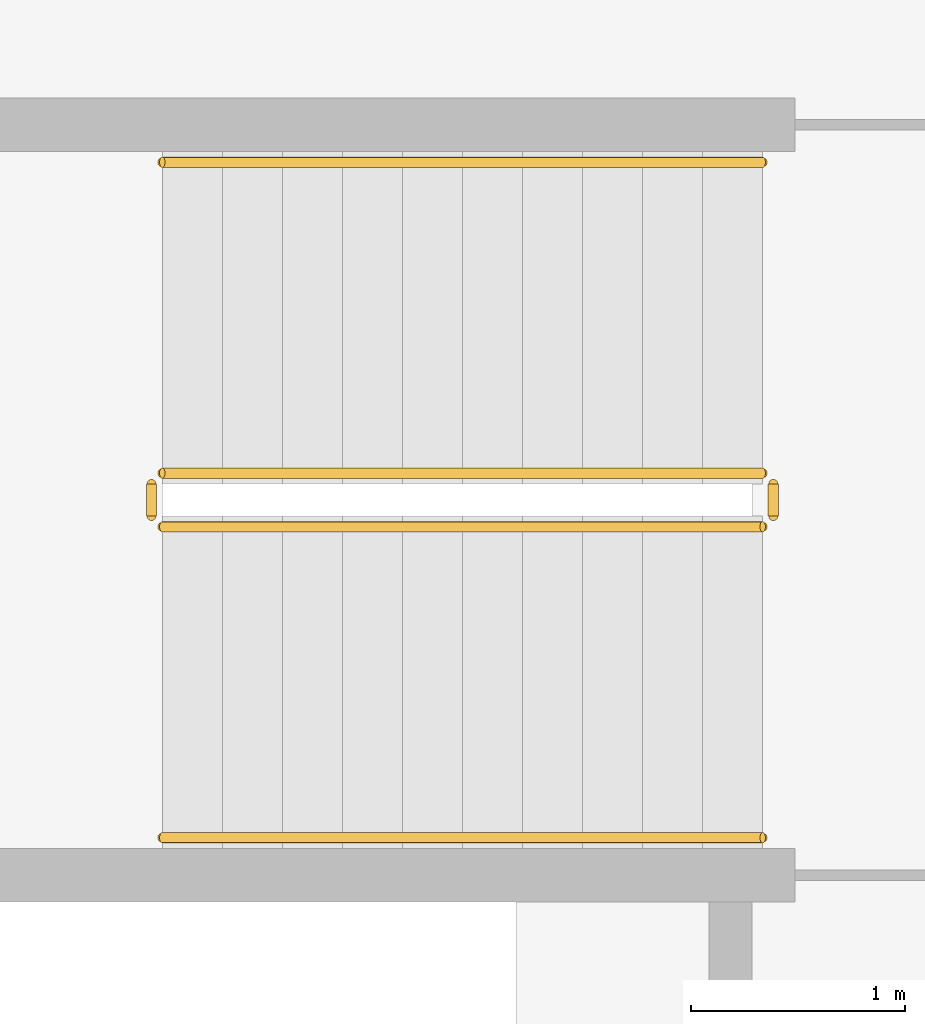
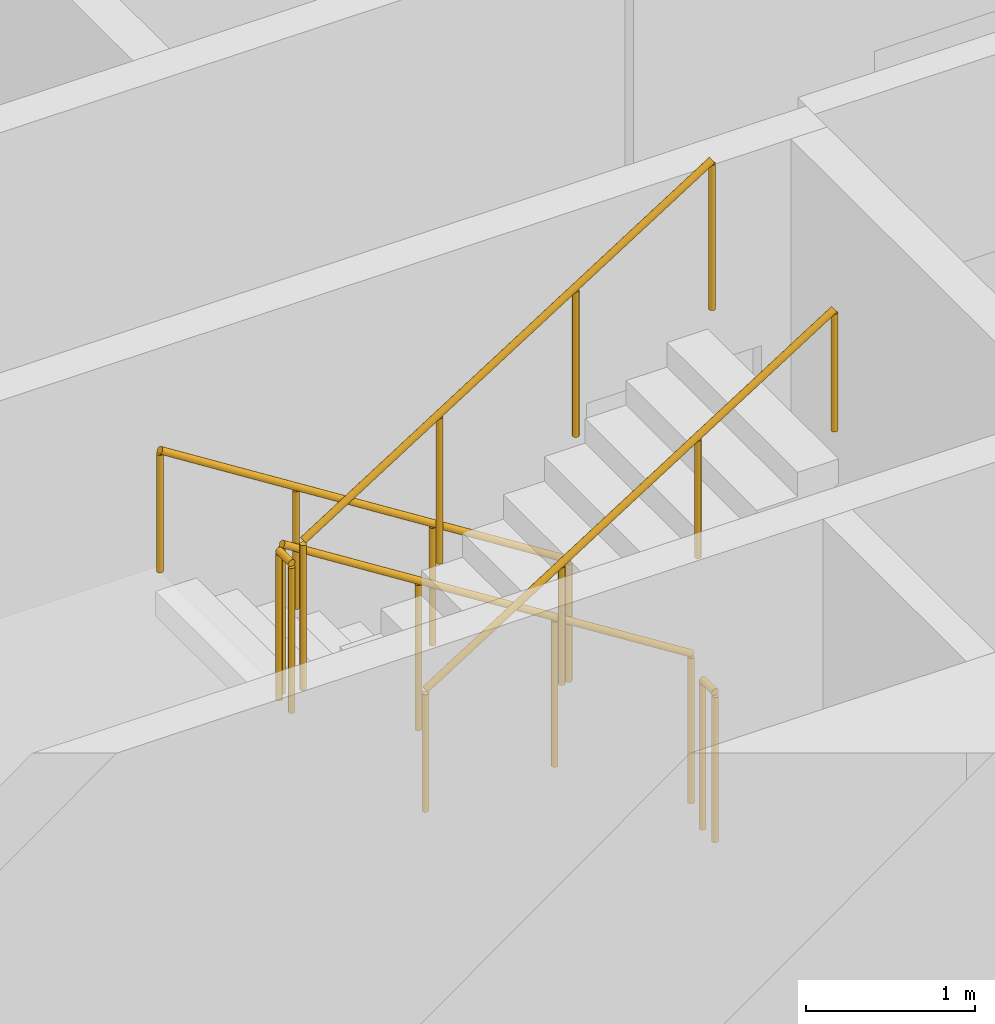
# One storey, part 11 of 14: 6 railings.
"""IFC4 building model written with IfcOpenShell, lengths in metres."""

from ifc_helpers import new_model, si_unit, direction, frame, origin, origin_2d, place, context, subcontext, project, spatial, circle, extrude, material, type_object, element, save


model = new_model("IFC4")

# Units and contexts
model_context = context("Model", 3, precision=1e-05, world=origin(), true_north=direction((0.0, 1.0)))
body_context = subcontext(model_context, "Body", "Model", "MODEL_VIEW")
ifc_project = project(units=[si_unit("LENGTHUNIT", "METRE"), si_unit("AREAUNIT", "SQUARE_METRE"), si_unit("VOLUMEUNIT", "CUBIC_METRE"), si_unit("PLANEANGLEUNIT", "RADIAN"), si_unit("MASSUNIT", "GRAM", prefix="KILO")], contexts=[model_context])

# Site, building, storey
site_placement = place(None, origin())
site = spatial("IfcSite", under=ifc_project, at=site_placement, CompositionType="ELEMENT")
building_placement = place(site_placement, origin())
building = spatial("IfcBuilding", under=site, at=building_placement, Name="Dhurran Vertical Campus", CompositionType="ELEMENT")
storey_placement = place(building_placement, frame((0.0, 0.0, 100.800048828125)))
storey = spatial("IfcBuildingStorey", under=building, at=storey_placement, Name="L24", CompositionType="ELEMENT", Elevation=100.800048828125)

# Railings
ifc_material_1 = material(Name="Stainless steel balustrade", Category="steel")
railing_type_1 = type_object("IfcRailingType", Name="co-RL-GUARD-1100", PredefinedType="GUARDRAIL", material=ifc_material_1)
railing_1_placement = place(storey_placement, frame((11.10009765625, -8.89990234375, 0.17724609375)))
element("IfcRailing", 1, at=railing_1_placement, inside=storey, type_object=railing_type_1, Name="L24 ST4 stair guard 1", PredefinedType="GUARDRAIL", context=body_context, shape_type="SweptSolid", body=[
    extrude(circle(Radius=0.02392578125, at=origin_2d()), frame((0.0, 0.0, 1.076171875), z_axis=(-0.844908973607, 0.0, 0.534910110503), x_axis=(0.0, -1.0, 0.0)), (0.0, 0.0, 1.0), 3.31396484375),
    extrude(circle(Radius=0.02099609375, at=origin_2d()), origin(), (0.0, 0.0, 1.0), 1.052001953125),
    extrude(circle(Radius=0.02099609375, at=origin_2d()), frame((-0.933349609375, 0.0, 0.5908203125)), (0.0, 0.0, 1.0), 1.052001953125),
    extrude(circle(Radius=0.02099609375, at=origin_2d()), frame((-1.86669921875, 0.0, 1.181884765625)), (0.0, 0.0, 1.0), 1.052001953125),
    extrude(circle(Radius=0.02099609375, at=origin_2d()), frame((-2.800048828125, 0.0, 1.772705078125)), (0.0, 0.0, 1.0), 1.052001953125),
])
railing_2_placement = place(storey_placement, frame((8.25, -8.949951171875, 1.949951171875)))
element("IfcRailing", 2, at=railing_2_placement, inside=storey, type_object=railing_type_1, Name="L24 ST4 stair guard 2", PredefinedType="GUARDRAIL", context=body_context, shape_type="SweptSolid", body=[
    extrude(circle(Radius=0.02392578125, at=origin_2d()), frame((0.0, 0.0, 1.076171875), z_axis=(0.0, -1.0, 0.0), x_axis=(1.0, 0.0, 0.0)), (0.0, 0.0, 1.0), 0.150146484375),
    extrude(circle(Radius=0.02099609375, at=origin_2d()), origin(), (0.0, 0.0, 1.0), 1.052001953125),
    extrude(circle(Radius=0.02099609375, at=origin_2d()), frame((0.0, -0.150146484375, 0.0)), (0.0, 0.0, 1.0), 1.052001953125),
])
railing_3_placement = place(storey_placement, frame((8.300048828125, -9.14990234375, 2.127197265625)))
element("IfcRailing", 3, at=railing_3_placement, inside=storey, type_object=railing_type_1, Name="L24 ST4 stair guard 3", PredefinedType="GUARDRAIL", context=body_context, shape_type="SweptSolid", body=[
    extrude(circle(Radius=0.02392578125, at=origin_2d()), frame((0.0, 0.0, 1.076171875), z_axis=(0.844908973607, 0.0, 0.534910110503), x_axis=(0.0, 1.0, 0.0)), (0.0, 0.0, 1.0), 3.31396484375),
    extrude(circle(Radius=0.02099609375, at=origin_2d()), origin(), (0.0, 0.0, 1.0), 1.052001953125),
    extrude(circle(Radius=0.02099609375, at=origin_2d()), frame((0.933349609375, 0.0, 0.5908203125)), (0.0, 0.0, 1.0), 1.052001953125),
    extrude(circle(Radius=0.02099609375, at=origin_2d()), frame((1.86669921875, 0.0, 1.181884765625)), (0.0, 0.0, 1.0), 1.052001953125),
    extrude(circle(Radius=0.02099609375, at=origin_2d()), frame((2.800048828125, 0.0, 1.772705078125)), (0.0, 0.0, 1.0), 1.052001953125),
])
railing_4_placement = place(storey_placement, frame((11.14990234375, -8.949951171875, 0.0)))
element("IfcRailing", 4, at=railing_4_placement, inside=storey, type_object=railing_type_1, Name="L24 ST4 stair guard 4", PredefinedType="GUARDRAIL", context=body_context, shape_type="SweptSolid", body=[
    extrude(circle(Radius=0.02392578125, at=origin_2d()), frame((0.0, 0.0, 1.076171875), z_axis=(0.0, -1.0, 0.0), x_axis=(1.0, 0.0, 0.0)), (0.0, 0.0, 1.0), 0.150146484375),
    extrude(circle(Radius=0.02099609375, at=origin_2d()), origin(), (0.0, 0.0, 1.0), 1.052001953125),
    extrude(circle(Radius=0.02099609375, at=origin_2d()), frame((0.0, -0.150146484375, 0.0)), (0.0, 0.0, 1.0), 1.052001953125),
])
ifc_material_2 = material(Name="Stainless steel handrail", Category="steel")
railing_type_2 = type_object("IfcRailingType", Name="co-RL-HANDRAIL-900", PredefinedType="HANDRAIL", material=ifc_material_2)
railing_5_placement = place(storey_placement, frame((11.10009765625, -7.449951171875, 0.17724609375)))
element("IfcRailing", 5, at=railing_5_placement, inside=storey, type_object=railing_type_2, Name="L24 ST4 stair handrail 1", PredefinedType="HANDRAIL", context=body_context, shape_type="SweptSolid", body=[
    extrude(circle(Radius=0.02392578125, at=origin_2d()), frame((0.0, 0.0, 0.8759765625), z_axis=(-0.844908973607, 0.0, 0.534910110503), x_axis=(0.0, -1.0, 0.0)), (0.0, 0.0, 1.0), 3.31396484375),
    extrude(circle(Radius=0.02099609375, at=origin_2d()), origin(), (0.0, 0.0, 1.0), 0.851806640625),
    extrude(circle(Radius=0.02099609375, at=origin_2d()), frame((-0.933349609375, 0.0, 0.5908203125)), (0.0, 0.0, 1.0), 0.851806640625),
    extrude(circle(Radius=0.02099609375, at=origin_2d()), frame((-1.86669921875, 0.0, 1.181884765625)), (0.0, 0.0, 1.0), 0.851806640625),
    extrude(circle(Radius=0.02099609375, at=origin_2d()), frame((-2.800048828125, 0.0, 1.772705078125)), (0.0, 0.0, 1.0), 0.851806640625),
])
railing_6_placement = place(storey_placement, frame((8.300048828125, -10.60009765625, 2.127197265625)))
element("IfcRailing", 6, at=railing_6_placement, inside=storey, type_object=railing_type_2, Name="L24 ST4 stair handrail 2", PredefinedType="HANDRAIL", context=body_context, shape_type="SweptSolid", body=[
    extrude(circle(Radius=0.02392578125, at=origin_2d()), frame((0.0, 0.0, 0.8759765625), z_axis=(0.844908973607, 0.0, 0.534910110503), x_axis=(0.0, 1.0, 0.0)), (0.0, 0.0, 1.0), 3.31396484375),
    extrude(circle(Radius=0.02099609375, at=origin_2d()), origin(), (0.0, 0.0, 1.0), 0.851806640625),
    extrude(circle(Radius=0.02099609375, at=origin_2d()), frame((0.933349609375, 0.0, 0.5908203125)), (0.0, 0.0, 1.0), 0.851806640625),
    extrude(circle(Radius=0.02099609375, at=origin_2d()), frame((1.86669921875, 0.0, 1.181884765625)), (0.0, 0.0, 1.0), 0.851806640625),
    extrude(circle(Radius=0.02099609375, at=origin_2d()), frame((2.800048828125, 0.0, 1.772705078125)), (0.0, 0.0, 1.0), 0.851806640625),
])

save(model, "model.ifc")
